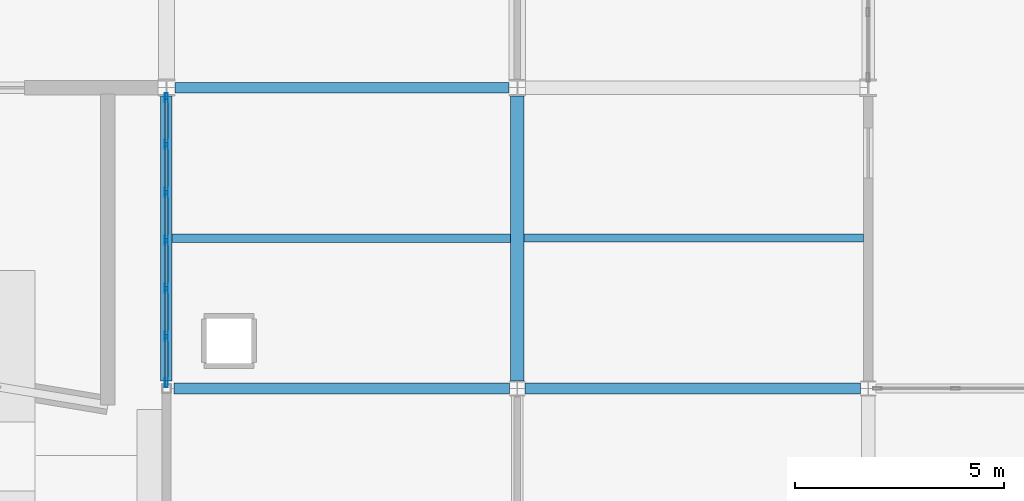
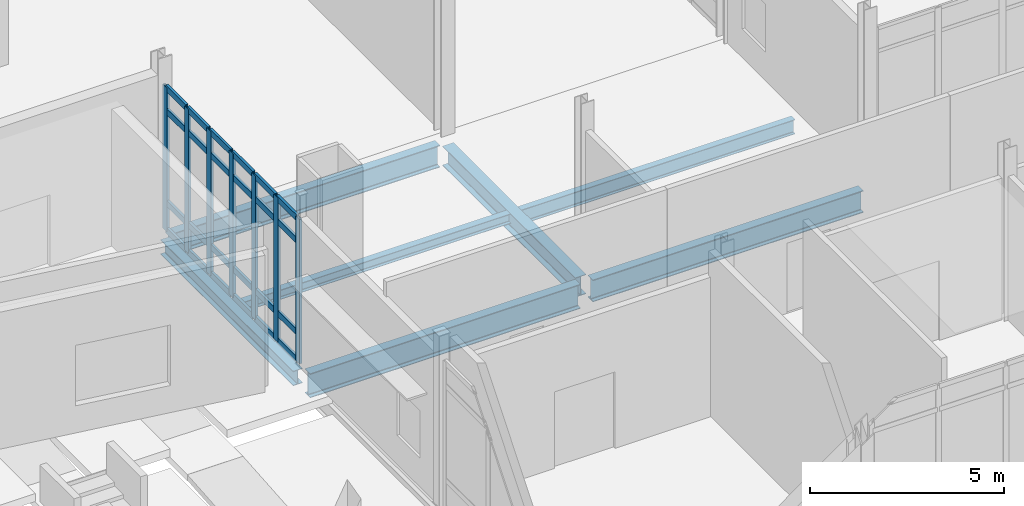
# One storey, part 41 of 229: 31 members, 7 beams, 1 element without a shape of its own.
"""IFC4 building model written with IfcOpenShell, lengths in metres."""

from ifc_helpers import new_model, si_unit, direction, frame, origin, origin_2d, place, context, subcontext, project, spatial, hollow_rectangle, i_section, extrude, material, layer, layer_set, material_profile, profile_set, type_object, element, aggregate, save


model = new_model("IFC4")

# Units and contexts
model_context = context("Model", 3, precision=1e-05, world=origin(), true_north=direction((0.0, 1.0)))
body_context = subcontext(model_context, "Body", "Model", "MODEL_VIEW")
ifc_project = project(units=[si_unit("LENGTHUNIT", "METRE"), si_unit("AREAUNIT", "SQUARE_METRE"), si_unit("VOLUMEUNIT", "CUBIC_METRE"), si_unit("PLANEANGLEUNIT", "RADIAN"), si_unit("MASSUNIT", "GRAM", prefix="KILO")], contexts=[model_context])

# Site, building, storey
site_placement = place(None, origin())
site = spatial("IfcSite", under=ifc_project, at=site_placement, CompositionType="ELEMENT")
building_placement = place(site_placement, origin())
building = spatial("IfcBuilding", under=site, at=building_placement, Name="Calvrana Isthmian Art Gallery", CompositionType="ELEMENT")
storey_placement = place(building_placement, origin())
storey = spatial("IfcBuildingStorey", under=building, at=storey_placement, Name="L00", CompositionType="ELEMENT", Elevation=0.0)

# Beams
ifc_material_1 = material(Name="Steel ASTM A992 Gr 50", Category="steel")
ifc_material_profile_1 = material_profile(ifc_material_1, i_section(OverallWidth=0.279052734375, OverallDepth=0.4619140625, WebThickness=0.0107421875, FlangeThickness=0.017333984375, FilletRadius=0.02001953125, at=origin_2d()), Name="W18X76")
ifc_profile_set_1 = profile_set([ifc_material_profile_1], Name="Steel ASTM A992 Gr 50")
beam_type_1 = type_object("IfcBeamType", Name="BM-G-W18X76", PredefinedType="BEAM", material=ifc_profile_set_1)
beam_1_placement = place(storey_placement, frame((63.60009765625, 14.583984375, -0.51611328125), z_axis=(0.0, 1.0, 0.0), x_axis=(-1.0, 0.0, 0.0)))
element("IfcBeam", 1, at=beam_1_placement, inside=storey, type_object=beam_type_1, Name="Girder Y L00 09/C-D", PredefinedType="BEAM", context=body_context, shape_type="SweptSolid", body=[
    extrude(i_section(OverallWidth=0.279052734375, OverallDepth=0.4619140625, WebThickness=0.0107421875, FlangeThickness=0.017333984375, FilletRadius=0.02001953125, at=origin_2d()), origin(), (0.0, 0.0, 1.0), 6.81640625),
])
ifc_material_profile_2 = material_profile(ifc_material_1, i_section(OverallWidth=0.324951171875, OverallDepth=0.612060546875, WebThickness=0.0126953125, FlangeThickness=0.01904296875, FilletRadius=0.02197265625, at=origin_2d()), Name="W24X104")
ifc_profile_set_2 = profile_set([ifc_material_profile_2], Name="Steel ASTM A992 Gr 50")
beam_type_2 = type_object("IfcBeamType", Name="BM-G-W24X104", PredefinedType="BEAM", material=ifc_profile_set_2)
beam_2_placement = place(storey_placement, frame((72.0, 14.58154296875, -0.591064453125), z_axis=(0.0, 1.0, 0.0), x_axis=(-1.0, 0.0, 0.0)))
element("IfcBeam", 2, at=beam_2_placement, inside=storey, type_object=beam_type_2, Name="Girder Y L00 10/C-D", PredefinedType="BEAM", context=body_context, shape_type="SweptSolid", body=[
    extrude(i_section(OverallWidth=0.324951171875, OverallDepth=0.612060546875, WebThickness=0.0126953125, FlangeThickness=0.01904296875, FilletRadius=0.02197265625, at=origin_2d()), origin(), (0.0, 0.0, 1.0), 6.825439453125),
])
ifc_material_profile_3 = material_profile(ifc_material_1, i_section(OverallWidth=0.257080078125, OverallDepth=0.693115234375, WebThickness=0.014404296875, FlangeThickness=0.023681640625, FilletRadius=0.02392578125, at=origin_2d()), Name="W27X114")
ifc_profile_set_3 = profile_set([ifc_material_profile_3], Name="Steel ASTM A992 Gr 50")
beam_type_3 = type_object("IfcBeamType", Name="BM-G-W27X114", PredefinedType="BEAM", material=ifc_profile_set_3)
beam_3_placement = place(storey_placement, frame((72.185546875, 14.39990234375, -0.631591796875), z_axis=(1.0, 0.0, 0.0), x_axis=(0.0, 1.0, 0.0)))
element("IfcBeam", 3, at=beam_3_placement, inside=storey, type_object=beam_type_3, Name="Girder X L00 10-11/C", PredefinedType="BEAM", context=body_context, shape_type="SweptSolid", body=[
    extrude(i_section(OverallWidth=0.257080078125, OverallDepth=0.693115234375, WebThickness=0.014404296875, FlangeThickness=0.023681640625, FilletRadius=0.02392578125, at=origin_2d()), origin(), (0.0, 0.0, 1.0), 8.030517578125),
])
beam_4_placement = place(storey_placement, frame((63.800537109375, 21.60009765625, -0.631591796875), z_axis=(1.0, 0.0, 0.0), x_axis=(0.0, 1.0, 0.0)))
element("IfcBeam", 4, at=beam_4_placement, inside=storey, type_object=beam_type_3, Name="Girder X L00 09-10/D", PredefinedType="BEAM", context=body_context, shape_type="SweptSolid", body=[
    extrude(i_section(OverallWidth=0.257080078125, OverallDepth=0.693115234375, WebThickness=0.014404296875, FlangeThickness=0.023681640625, FilletRadius=0.02392578125, at=origin_2d()), origin(), (0.0, 0.0, 1.0), 8.0),
])
ifc_material_profile_4 = material_profile(ifc_material_1, i_section(OverallWidth=0.26708984375, OverallDepth=0.761962890625, WebThickness=0.014404296875, FlangeThickness=0.021484375, FilletRadius=0.02490234375, at=origin_2d()), Name="W30X116")
ifc_profile_set_4 = profile_set([ifc_material_profile_4], Name="Steel ASTM A992 Gr 50")
beam_type_4 = type_object("IfcBeamType", Name="BM-G-W30X116", PredefinedType="BEAM", material=ifc_profile_set_4)
beam_5_placement = place(storey_placement, frame((63.78662109375, 14.39990234375, -0.666015625), z_axis=(1.0, 0.0, 0.0), x_axis=(0.0, 1.0, 0.0)))
element("IfcBeam", 5, at=beam_5_placement, inside=storey, type_object=beam_type_4, Name="Girder X L00 09-10/C", PredefinedType="BEAM", context=body_context, shape_type="SweptSolid", body=[
    extrude(i_section(OverallWidth=0.26708984375, OverallDepth=0.761962890625, WebThickness=0.014404296875, FlangeThickness=0.021484375, FilletRadius=0.02490234375, at=origin_2d()), origin(), (0.0, 0.0, 1.0), 8.02783203125),
])
ifc_material_profile_5 = material_profile(ifc_material_1, i_section(OverallWidth=0.202880859375, OverallDepth=0.302001953125, WebThickness=0.007568359375, FlangeThickness=0.01318359375, FilletRadius=0.01611328125, at=origin_2d()), Name="W12X40")
ifc_profile_set_5 = profile_set([ifc_material_profile_5], Name="Steel ASTM A992 Gr 50")
beam_type_5 = type_object("IfcBeamType", Name="BM-J-W12X40", PredefinedType="JOIST", material=ifc_profile_set_5)
beam_6_placement = place(storey_placement, frame((63.739501953125, 18.0, -0.43603515625), z_axis=(1.0, 0.0, 0.0), x_axis=(0.0, 1.0, 0.0)))
element("IfcBeam", 6, at=beam_6_placement, inside=storey, type_object=beam_type_5, Name="Composite joist L00 bay 08-02", PredefinedType="JOIST", context=body_context, shape_type="SweptSolid", body=[
    extrude(i_section(OverallWidth=0.202880859375, OverallDepth=0.302001953125, WebThickness=0.007568359375, FlangeThickness=0.01318359375, FilletRadius=0.01611328125, at=origin_2d()), origin(), (0.0, 0.0, 1.0), 8.097900390625),
])
ifc_material_profile_6 = material_profile(ifc_material_1, i_section(OverallWidth=0.19091796875, OverallDepth=0.45703125, WebThickness=0.009033203125, FlangeThickness=0.014404296875, FilletRadius=0.02001953125, at=origin_2d()), Name="W18X50")
ifc_profile_set_6 = profile_set([ifc_material_profile_6], Name="Steel ASTM A992 Gr 50")
beam_type_6 = type_object("IfcBeamType", Name="BM-J-W18X50", PredefinedType="JOIST", material=ifc_profile_set_6)
beam_7_placement = place(storey_placement, frame((72.16259765625, 18.0, -0.513427734375), z_axis=(1.0, 0.0, 0.0), x_axis=(0.0, 1.0, 0.0)))
element("IfcBeam", 7, at=beam_7_placement, inside=storey, type_object=beam_type_6, Name="Composite joist L00 bay 09-02", PredefinedType="JOIST", context=body_context, shape_type="SweptSolid", body=[
    extrude(i_section(OverallWidth=0.19091796875, OverallDepth=0.45703125, WebThickness=0.009033203125, FlangeThickness=0.014404296875, FilletRadius=0.02001953125, at=origin_2d()), origin(), (0.0, 0.0, 1.0), 8.123291015625),
])

# Curtain wall, members
ifc_material_2 = material(Name="Anodized bronze aluminium 6063-T6", Category="aluminium")
ifc_layer = layer(ifc_material_2, 0.179931640625, Name="Anodized bronze aluminium 6063-T6")
ifc_layer_set = layer_set([ifc_layer], Name="Anodized bronze aluminium 6063-T6")
curtain_wall_type = type_object("IfcCurtainWallType", Name="CW-UNIT-069X45", PredefinedType="USERDEFINED", material=ifc_layer_set)
curtain_wall_placement = place(storey_placement, origin())
curtain_wall = element("IfcCurtainWall", 8, at=curtain_wall_placement, inside=storey, type_object=curtain_wall_type, Name="Curtain wall CW-064", ObjectType="UNITISED CURTAIN WALL", PredefinedType="USERDEFINED")
ifc_material_profile_7 = material_profile(ifc_material_2, hollow_rectangle(XDim=0.074951171875, YDim=0.219970703125, WallThickness=0.0048828125, at=origin_2d()), Name="CWM75X220")
ifc_profile_set_7 = profile_set([ifc_material_profile_7], Name="Anodized bronze aluminium 6063-T6")
member_type_1 = type_object("IfcMemberType", Name="CWM-CWM75X220", PredefinedType="MULLION", material=ifc_profile_set_7)
member_1_placement = place(storey_placement, frame((63.60009765625, 14.5390625, 0.0), z_axis=(0.0, 0.0, 1.0), x_axis=(-1.0, 0.0, 0.0)))
member_1 = element("IfcMember", 9, at=member_1_placement, type_object=member_type_1, Name="CW-064 mullion 1", PredefinedType="MULLION", context=body_context, shape_type="SweptSolid", body=[
    extrude(hollow_rectangle(XDim=0.074951171875, YDim=0.219970703125, WallThickness=0.0048828125, at=origin_2d()), origin(), (0.0, 0.0, 1.0), 4.528076171875),
])
member_2_placement = place(storey_placement, frame((63.60009765625, 15.65087890625, 0.0), z_axis=(0.0, 0.0, 1.0), x_axis=(-1.0, 0.0, 0.0)))
member_2 = element("IfcMember", 10, at=member_2_placement, type_object=member_type_1, Name="CW-064 mullion 2", PredefinedType="MULLION", context=body_context, shape_type="SweptSolid", body=[
    extrude(hollow_rectangle(XDim=0.074951171875, YDim=0.219970703125, WallThickness=0.0048828125, at=origin_2d()), origin(), (0.0, 0.0, 1.0), 4.528076171875),
])
member_3_placement = place(storey_placement, frame((63.60009765625, 16.800048828125, 0.0), z_axis=(0.0, 0.0, 1.0), x_axis=(-1.0, 0.0, 0.0)))
member_3 = element("IfcMember", 11, at=member_3_placement, type_object=member_type_1, Name="CW-064 mullion 3", PredefinedType="MULLION", context=body_context, shape_type="SweptSolid", body=[
    extrude(hollow_rectangle(XDim=0.074951171875, YDim=0.219970703125, WallThickness=0.0048828125, at=origin_2d()), origin(), (0.0, 0.0, 1.0), 4.528076171875),
])
member_4_placement = place(storey_placement, frame((63.60009765625, 17.94921875, 0.0), z_axis=(0.0, 0.0, 1.0), x_axis=(-1.0, 0.0, 0.0)))
member_4 = element("IfcMember", 12, at=member_4_placement, type_object=member_type_1, Name="CW-064 mullion 4", PredefinedType="MULLION", context=body_context, shape_type="SweptSolid", body=[
    extrude(hollow_rectangle(XDim=0.074951171875, YDim=0.219970703125, WallThickness=0.0048828125, at=origin_2d()), origin(), (0.0, 0.0, 1.0), 4.528076171875),
])
member_5_placement = place(storey_placement, frame((63.60009765625, 19.0986328125, 0.0), z_axis=(0.0, 0.0, 1.0), x_axis=(-1.0, 0.0, 0.0)))
member_5 = element("IfcMember", 13, at=member_5_placement, type_object=member_type_1, Name="CW-064 mullion 5", PredefinedType="MULLION", context=body_context, shape_type="SweptSolid", body=[
    extrude(hollow_rectangle(XDim=0.074951171875, YDim=0.219970703125, WallThickness=0.0048828125, at=origin_2d()), origin(), (0.0, 0.0, 1.0), 4.528076171875),
])
member_6_placement = place(storey_placement, frame((63.60009765625, 20.247802734375, 0.0), z_axis=(0.0, 0.0, 1.0), x_axis=(-1.0, 0.0, 0.0)))
member_6 = element("IfcMember", 14, at=member_6_placement, type_object=member_type_1, Name="CW-064 mullion 6", PredefinedType="MULLION", context=body_context, shape_type="SweptSolid", body=[
    extrude(hollow_rectangle(XDim=0.074951171875, YDim=0.219970703125, WallThickness=0.0048828125, at=origin_2d()), origin(), (0.0, 0.0, 1.0), 4.528076171875),
])
member_7_placement = place(storey_placement, frame((63.60009765625, 21.359619140625, 0.0), z_axis=(0.0, 0.0, 1.0), x_axis=(-1.0, 0.0, 0.0)))
member_7 = element("IfcMember", 15, at=member_7_placement, type_object=member_type_1, Name="CW-064 mullion 7", PredefinedType="MULLION", context=body_context, shape_type="SweptSolid", body=[
    extrude(hollow_rectangle(XDim=0.074951171875, YDim=0.219970703125, WallThickness=0.0048828125, at=origin_2d()), origin(), (0.0, 0.0, 1.0), 4.528076171875),
])
ifc_material_profile_8 = material_profile(ifc_material_2, hollow_rectangle(XDim=0.074951171875, YDim=0.18994140625, WallThickness=0.00439453125, at=origin_2d()), Name="CWT75X190")
ifc_profile_set_8 = profile_set([ifc_material_profile_8], Name="Anodized bronze aluminium 6063-T6")
member_type_2 = type_object("IfcMemberType", Name="CWT-CWT75X190", PredefinedType="USERDEFINED", material=ifc_profile_set_8)
member_8_placement = place(storey_placement, frame((63.60009765625, 14.57666015625, 0.03759765625), z_axis=(0.0, 1.0, 0.0), x_axis=(-1.0, 0.0, 0.0)))
member_8 = element("IfcMember", 16, at=member_8_placement, type_object=member_type_2, Name="CW-064 transom 1.1", ObjectType="TRANSOM", PredefinedType="USERDEFINED", context=body_context, shape_type="SweptSolid", body=[
    extrude(hollow_rectangle(XDim=0.074951171875, YDim=0.18994140625, WallThickness=0.00439453125, at=origin_2d()), origin(), (0.0, 0.0, 1.0), 1.03662109375),
])
member_9_placement = place(storey_placement, frame((63.60009765625, 14.57666015625, 0.89990234375), z_axis=(0.0, 1.0, 0.0), x_axis=(-1.0, 0.0, 0.0)))
member_9 = element("IfcMember", 17, at=member_9_placement, type_object=member_type_2, Name="CW-064 transom 1.2", ObjectType="TRANSOM", PredefinedType="USERDEFINED", context=body_context, shape_type="SweptSolid", body=[
    extrude(hollow_rectangle(XDim=0.074951171875, YDim=0.18994140625, WallThickness=0.00439453125, at=origin_2d()), origin(), (0.0, 0.0, 1.0), 1.03662109375),
])
member_10_placement = place(storey_placement, frame((63.60009765625, 14.57666015625, 3.778076171875), z_axis=(0.0, 1.0, 0.0), x_axis=(-1.0, 0.0, 0.0)))
member_10 = element("IfcMember", 18, at=member_10_placement, type_object=member_type_2, Name="CW-064 transom 1.3", ObjectType="TRANSOM", PredefinedType="USERDEFINED", context=body_context, shape_type="SweptSolid", body=[
    extrude(hollow_rectangle(XDim=0.074951171875, YDim=0.18994140625, WallThickness=0.00439453125, at=origin_2d()), origin(), (0.0, 0.0, 1.0), 1.03662109375),
])
member_11_placement = place(storey_placement, frame((63.60009765625, 14.57666015625, 4.490478515625), z_axis=(0.0, 1.0, 0.0), x_axis=(-1.0, 0.0, 0.0)))
member_11 = element("IfcMember", 19, at=member_11_placement, type_object=member_type_2, Name="CW-064 transom 1.4", ObjectType="TRANSOM", PredefinedType="USERDEFINED", context=body_context, shape_type="SweptSolid", body=[
    extrude(hollow_rectangle(XDim=0.074951171875, YDim=0.18994140625, WallThickness=0.00439453125, at=origin_2d()), origin(), (0.0, 0.0, 1.0), 1.03662109375),
])
member_12_placement = place(storey_placement, frame((63.60009765625, 15.688232421875, 0.03759765625), z_axis=(0.0, 1.0, 0.0), x_axis=(-1.0, 0.0, 0.0)))
member_12 = element("IfcMember", 20, at=member_12_placement, type_object=member_type_2, Name="CW-064 transom 2.1", ObjectType="TRANSOM", PredefinedType="USERDEFINED", context=body_context, shape_type="SweptSolid", body=[
    extrude(hollow_rectangle(XDim=0.074951171875, YDim=0.18994140625, WallThickness=0.00439453125, at=origin_2d()), origin(), (0.0, 0.0, 1.0), 1.07421875),
])
member_13_placement = place(storey_placement, frame((63.60009765625, 15.688232421875, 0.89990234375), z_axis=(0.0, 1.0, 0.0), x_axis=(-1.0, 0.0, 0.0)))
member_13 = element("IfcMember", 21, at=member_13_placement, type_object=member_type_2, Name="CW-064 transom 2.2", ObjectType="TRANSOM", PredefinedType="USERDEFINED", context=body_context, shape_type="SweptSolid", body=[
    extrude(hollow_rectangle(XDim=0.074951171875, YDim=0.18994140625, WallThickness=0.00439453125, at=origin_2d()), origin(), (0.0, 0.0, 1.0), 1.07421875),
])
member_14_placement = place(storey_placement, frame((63.60009765625, 15.688232421875, 3.778076171875), z_axis=(0.0, 1.0, 0.0), x_axis=(-1.0, 0.0, 0.0)))
member_14 = element("IfcMember", 22, at=member_14_placement, type_object=member_type_2, Name="CW-064 transom 2.3", ObjectType="TRANSOM", PredefinedType="USERDEFINED", context=body_context, shape_type="SweptSolid", body=[
    extrude(hollow_rectangle(XDim=0.074951171875, YDim=0.18994140625, WallThickness=0.00439453125, at=origin_2d()), origin(), (0.0, 0.0, 1.0), 1.07421875),
])
member_15_placement = place(storey_placement, frame((63.60009765625, 15.688232421875, 4.490478515625), z_axis=(0.0, 1.0, 0.0), x_axis=(-1.0, 0.0, 0.0)))
member_15 = element("IfcMember", 23, at=member_15_placement, type_object=member_type_2, Name="CW-064 transom 2.4", ObjectType="TRANSOM", PredefinedType="USERDEFINED", context=body_context, shape_type="SweptSolid", body=[
    extrude(hollow_rectangle(XDim=0.074951171875, YDim=0.18994140625, WallThickness=0.00439453125, at=origin_2d()), origin(), (0.0, 0.0, 1.0), 1.07421875),
])
member_16_placement = place(storey_placement, frame((63.60009765625, 16.837646484375, 0.03759765625), z_axis=(0.0, 1.0, 0.0), x_axis=(-1.0, 0.0, 0.0)))
member_16 = element("IfcMember", 24, at=member_16_placement, type_object=member_type_2, Name="CW-064 transom 3.1", ObjectType="TRANSOM", PredefinedType="USERDEFINED", context=body_context, shape_type="SweptSolid", body=[
    extrude(hollow_rectangle(XDim=0.074951171875, YDim=0.18994140625, WallThickness=0.00439453125, at=origin_2d()), origin(), (0.0, 0.0, 1.0), 1.07421875),
])
member_17_placement = place(storey_placement, frame((63.60009765625, 16.837646484375, 0.89990234375), z_axis=(0.0, 1.0, 0.0), x_axis=(-1.0, 0.0, 0.0)))
member_17 = element("IfcMember", 25, at=member_17_placement, type_object=member_type_2, Name="CW-064 transom 3.2", ObjectType="TRANSOM", PredefinedType="USERDEFINED", context=body_context, shape_type="SweptSolid", body=[
    extrude(hollow_rectangle(XDim=0.074951171875, YDim=0.18994140625, WallThickness=0.00439453125, at=origin_2d()), origin(), (0.0, 0.0, 1.0), 1.07421875),
])
member_18_placement = place(storey_placement, frame((63.60009765625, 16.837646484375, 3.778076171875), z_axis=(0.0, 1.0, 0.0), x_axis=(-1.0, 0.0, 0.0)))
member_18 = element("IfcMember", 26, at=member_18_placement, type_object=member_type_2, Name="CW-064 transom 3.3", ObjectType="TRANSOM", PredefinedType="USERDEFINED", context=body_context, shape_type="SweptSolid", body=[
    extrude(hollow_rectangle(XDim=0.074951171875, YDim=0.18994140625, WallThickness=0.00439453125, at=origin_2d()), origin(), (0.0, 0.0, 1.0), 1.07421875),
])
member_19_placement = place(storey_placement, frame((63.60009765625, 16.837646484375, 4.490478515625), z_axis=(0.0, 1.0, 0.0), x_axis=(-1.0, 0.0, 0.0)))
member_19 = element("IfcMember", 27, at=member_19_placement, type_object=member_type_2, Name="CW-064 transom 3.4", ObjectType="TRANSOM", PredefinedType="USERDEFINED", context=body_context, shape_type="SweptSolid", body=[
    extrude(hollow_rectangle(XDim=0.074951171875, YDim=0.18994140625, WallThickness=0.00439453125, at=origin_2d()), origin(), (0.0, 0.0, 1.0), 1.07421875),
])
member_20_placement = place(storey_placement, frame((63.60009765625, 17.98681640625, 0.03759765625), z_axis=(0.0, 1.0, 0.0), x_axis=(-1.0, 0.0, 0.0)))
member_20 = element("IfcMember", 28, at=member_20_placement, type_object=member_type_2, Name="CW-064 transom 4.1", ObjectType="TRANSOM", PredefinedType="USERDEFINED", context=body_context, shape_type="SweptSolid", body=[
    extrude(hollow_rectangle(XDim=0.074951171875, YDim=0.18994140625, WallThickness=0.00439453125, at=origin_2d()), origin(), (0.0, 0.0, 1.0), 1.07421875),
])
member_21_placement = place(storey_placement, frame((63.60009765625, 17.98681640625, 0.89990234375), z_axis=(0.0, 1.0, 0.0), x_axis=(-1.0, 0.0, 0.0)))
member_21 = element("IfcMember", 29, at=member_21_placement, type_object=member_type_2, Name="CW-064 transom 4.2", ObjectType="TRANSOM", PredefinedType="USERDEFINED", context=body_context, shape_type="SweptSolid", body=[
    extrude(hollow_rectangle(XDim=0.074951171875, YDim=0.18994140625, WallThickness=0.00439453125, at=origin_2d()), origin(), (0.0, 0.0, 1.0), 1.07421875),
])
member_22_placement = place(storey_placement, frame((63.60009765625, 17.98681640625, 3.778076171875), z_axis=(0.0, 1.0, 0.0), x_axis=(-1.0, 0.0, 0.0)))
member_22 = element("IfcMember", 30, at=member_22_placement, type_object=member_type_2, Name="CW-064 transom 4.3", ObjectType="TRANSOM", PredefinedType="USERDEFINED", context=body_context, shape_type="SweptSolid", body=[
    extrude(hollow_rectangle(XDim=0.074951171875, YDim=0.18994140625, WallThickness=0.00439453125, at=origin_2d()), origin(), (0.0, 0.0, 1.0), 1.07421875),
])
member_23_placement = place(storey_placement, frame((63.60009765625, 17.98681640625, 4.490478515625), z_axis=(0.0, 1.0, 0.0), x_axis=(-1.0, 0.0, 0.0)))
member_23 = element("IfcMember", 31, at=member_23_placement, type_object=member_type_2, Name="CW-064 transom 4.4", ObjectType="TRANSOM", PredefinedType="USERDEFINED", context=body_context, shape_type="SweptSolid", body=[
    extrude(hollow_rectangle(XDim=0.074951171875, YDim=0.18994140625, WallThickness=0.00439453125, at=origin_2d()), origin(), (0.0, 0.0, 1.0), 1.07421875),
])
member_24_placement = place(storey_placement, frame((63.60009765625, 19.135986328125, 0.03759765625), z_axis=(0.0, 1.0, 0.0), x_axis=(-1.0, 0.0, 0.0)))
member_24 = element("IfcMember", 32, at=member_24_placement, type_object=member_type_2, Name="CW-064 transom 5.1", ObjectType="TRANSOM", PredefinedType="USERDEFINED", context=body_context, shape_type="SweptSolid", body=[
    extrude(hollow_rectangle(XDim=0.074951171875, YDim=0.18994140625, WallThickness=0.00439453125, at=origin_2d()), origin(), (0.0, 0.0, 1.0), 1.07421875),
])
member_25_placement = place(storey_placement, frame((63.60009765625, 19.135986328125, 0.89990234375), z_axis=(0.0, 1.0, 0.0), x_axis=(-1.0, 0.0, 0.0)))
member_25 = element("IfcMember", 33, at=member_25_placement, type_object=member_type_2, Name="CW-064 transom 5.2", ObjectType="TRANSOM", PredefinedType="USERDEFINED", context=body_context, shape_type="SweptSolid", body=[
    extrude(hollow_rectangle(XDim=0.074951171875, YDim=0.18994140625, WallThickness=0.00439453125, at=origin_2d()), origin(), (0.0, 0.0, 1.0), 1.07421875),
])
member_26_placement = place(storey_placement, frame((63.60009765625, 19.135986328125, 3.778076171875), z_axis=(0.0, 1.0, 0.0), x_axis=(-1.0, 0.0, 0.0)))
member_26 = element("IfcMember", 34, at=member_26_placement, type_object=member_type_2, Name="CW-064 transom 5.3", ObjectType="TRANSOM", PredefinedType="USERDEFINED", context=body_context, shape_type="SweptSolid", body=[
    extrude(hollow_rectangle(XDim=0.074951171875, YDim=0.18994140625, WallThickness=0.00439453125, at=origin_2d()), origin(), (0.0, 0.0, 1.0), 1.07421875),
])
member_27_placement = place(storey_placement, frame((63.60009765625, 19.135986328125, 4.490478515625), z_axis=(0.0, 1.0, 0.0), x_axis=(-1.0, 0.0, 0.0)))
member_27 = element("IfcMember", 35, at=member_27_placement, type_object=member_type_2, Name="CW-064 transom 5.4", ObjectType="TRANSOM", PredefinedType="USERDEFINED", context=body_context, shape_type="SweptSolid", body=[
    extrude(hollow_rectangle(XDim=0.074951171875, YDim=0.18994140625, WallThickness=0.00439453125, at=origin_2d()), origin(), (0.0, 0.0, 1.0), 1.07421875),
])
member_28_placement = place(storey_placement, frame((63.60009765625, 20.28515625, 0.03759765625), z_axis=(0.0, 1.0, 0.0), x_axis=(-1.0, 0.0, 0.0)))
member_28 = element("IfcMember", 36, at=member_28_placement, type_object=member_type_2, Name="CW-064 transom 6.1", ObjectType="TRANSOM", PredefinedType="USERDEFINED", context=body_context, shape_type="SweptSolid", body=[
    extrude(hollow_rectangle(XDim=0.074951171875, YDim=0.18994140625, WallThickness=0.00439453125, at=origin_2d()), origin(), (0.0, 0.0, 1.0), 1.036865234375),
])
member_29_placement = place(storey_placement, frame((63.60009765625, 20.28515625, 0.89990234375), z_axis=(0.0, 1.0, 0.0), x_axis=(-1.0, 0.0, 0.0)))
member_29 = element("IfcMember", 37, at=member_29_placement, type_object=member_type_2, Name="CW-064 transom 6.2", ObjectType="TRANSOM", PredefinedType="USERDEFINED", context=body_context, shape_type="SweptSolid", body=[
    extrude(hollow_rectangle(XDim=0.074951171875, YDim=0.18994140625, WallThickness=0.00439453125, at=origin_2d()), origin(), (0.0, 0.0, 1.0), 1.036865234375),
])
member_30_placement = place(storey_placement, frame((63.60009765625, 20.28515625, 3.778076171875), z_axis=(0.0, 1.0, 0.0), x_axis=(-1.0, 0.0, 0.0)))
member_30 = element("IfcMember", 38, at=member_30_placement, type_object=member_type_2, Name="CW-064 transom 6.3", ObjectType="TRANSOM", PredefinedType="USERDEFINED", context=body_context, shape_type="SweptSolid", body=[
    extrude(hollow_rectangle(XDim=0.074951171875, YDim=0.18994140625, WallThickness=0.00439453125, at=origin_2d()), origin(), (0.0, 0.0, 1.0), 1.036865234375),
])
member_31_placement = place(storey_placement, frame((63.60009765625, 20.28515625, 4.490478515625), z_axis=(0.0, 1.0, 0.0), x_axis=(-1.0, 0.0, 0.0)))
member_31 = element("IfcMember", 39, at=member_31_placement, type_object=member_type_2, Name="CW-064 transom 6.4", ObjectType="TRANSOM", PredefinedType="USERDEFINED", context=body_context, shape_type="SweptSolid", body=[
    extrude(hollow_rectangle(XDim=0.074951171875, YDim=0.18994140625, WallThickness=0.00439453125, at=origin_2d()), origin(), (0.0, 0.0, 1.0), 1.036865234375),
])
aggregate(curtain_wall, [member_1, member_2, member_3, member_4, member_5, member_6, member_7, member_8, member_9, member_10, member_11, member_12, member_13, member_14, member_15, member_16, member_17, member_18, member_19, member_20, member_21, member_22, member_23, member_24, member_25, member_26, member_27, member_28, member_29, member_30, member_31])

save(model, "model.ifc")
